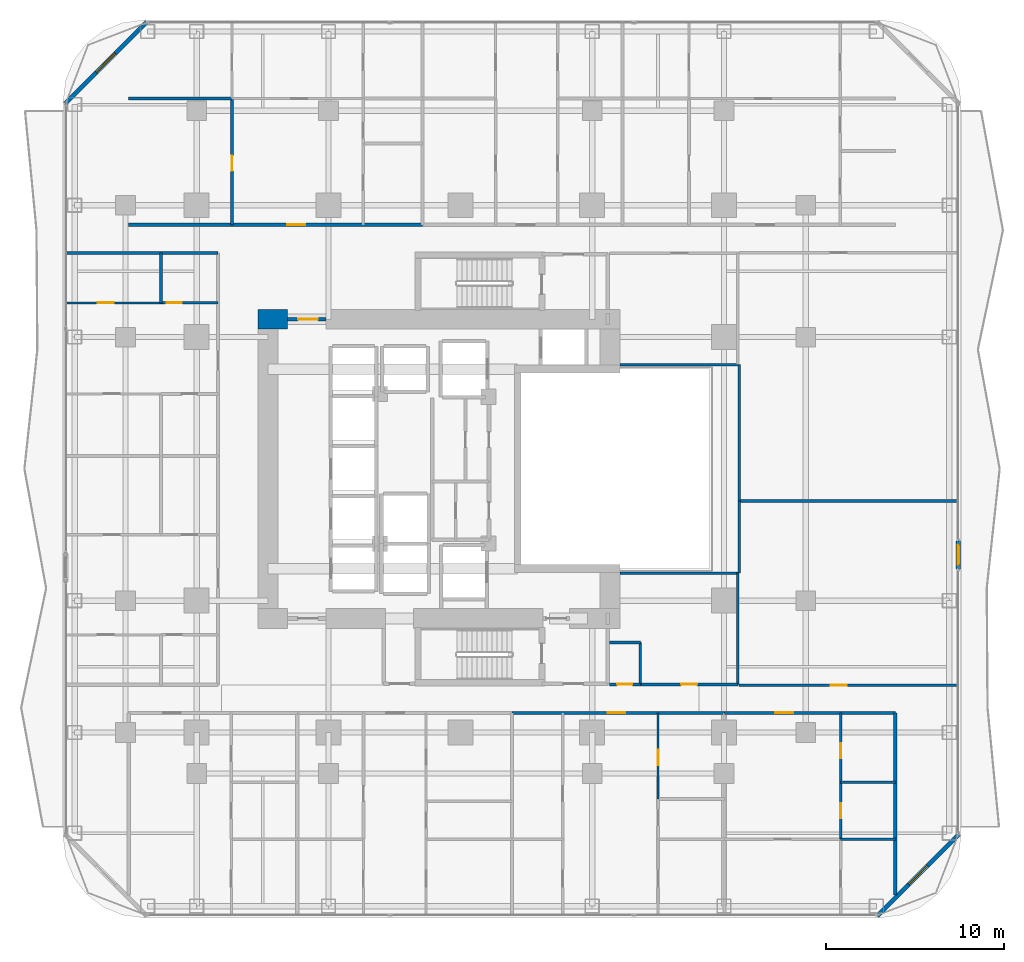
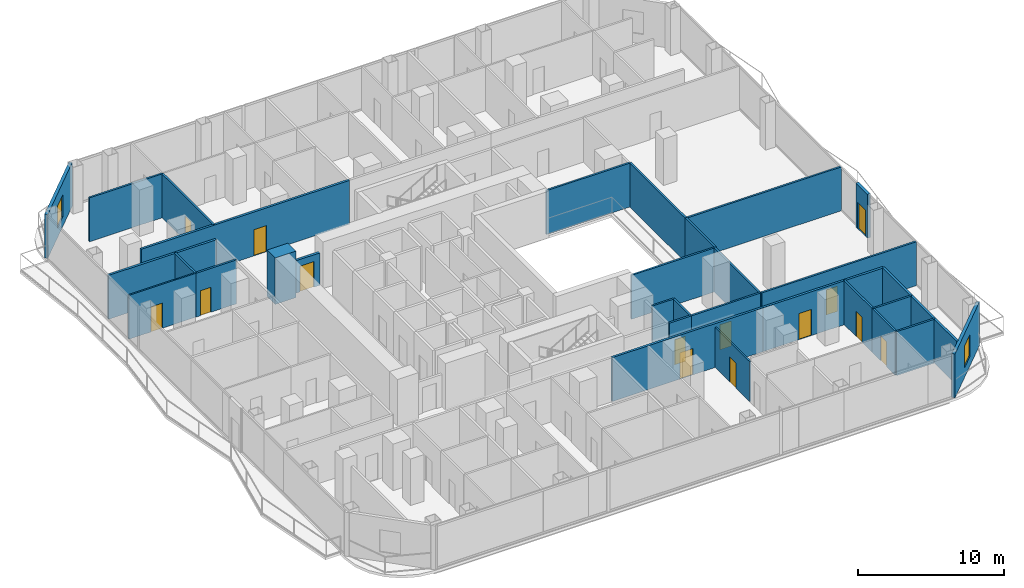
# One storey, part 23 of 28: 31 walls, 14 doors, 2 windows, 16 openings.
"""IFC4 building model written with IfcOpenShell, lengths in metres."""

from ifc_helpers import new_model, si_unit, direction, frame, frame_2d, origin, place, context, subcontext, project, spatial, rectangle, extrude, material, layer, layer_set, type_object, element, fill, save


model = new_model("IFC4")

# Units and contexts
model_context = context("Model", 3, precision=1e-05, world=origin(), true_north=direction((0.0, 1.0)))
body_context = subcontext(model_context, "Body", "Model", "MODEL_VIEW")
ifc_project = project(units=[si_unit("LENGTHUNIT", "METRE"), si_unit("AREAUNIT", "SQUARE_METRE"), si_unit("VOLUMEUNIT", "CUBIC_METRE"), si_unit("PLANEANGLEUNIT", "RADIAN"), si_unit("MASSUNIT", "GRAM", prefix="KILO")], contexts=[model_context])

# Site, building, storey
site_placement = place(None, origin())
site = spatial("IfcSite", under=ifc_project, at=site_placement, CompositionType="ELEMENT")
building_placement = place(site_placement, origin())
building = spatial("IfcBuilding", under=site, at=building_placement, Name="Khorvyn Point Tower", CompositionType="ELEMENT")
storey_placement = place(building_placement, frame((0.0, 0.0, 34.5)))
storey = spatial("IfcBuildingStorey", under=building, at=storey_placement, Name="L09", CompositionType="ELEMENT", Elevation=34.5)

# Wall, opening, door
ifc_material_1 = material(Name="Double acoustic gypsum on twin steel stud", Category="steel")
ifc_layer_1 = layer(ifc_material_1, 0.179931640625)
ifc_layer_set_1 = layer_set([ifc_layer_1], Name="Acoustic Double-Stud Apartment Demising Wall 180")
wall_type_1 = type_object("IfcWallType", Name="Acoustic Double-Stud Apartment Demising Wall 180", PredefinedType="PARTITIONING", material=ifc_layer_set_1)
wall_1_placement = place(storey_placement, frame((-18.6201171875, 13.699951171875, 0.0), z_axis=(0.0, 0.0, 1.0), x_axis=(1.0, 0.0, 0.0)))
wall_1 = element("IfcWall", 1, at=wall_1_placement, inside=storey, type_object=wall_type_1, Name="Wall", PredefinedType="PARTITIONING", context=body_context, shape_type="SweptSolid", body=[
    extrude(rectangle(XDim=16.4990234375, YDim=0.179931640625, at=frame_2d((8.24951171875, 0.0))), origin(), (0.0, 0.0, 1.0), 3.679931640625),
])
opening_1_placement = place(wall_1_placement, frame((8.91015625, 0.0, 0.0)))
opening_1 = element("IfcOpeningElement", 2, at=opening_1_placement, cuts=wall_1, Name="Opening ID-AP60", PredefinedType="OPENING", context=body_context, shape_type="SweptSolid", body=[
    extrude(rectangle(XDim=1.0, YDim=2.199951171875, at=frame_2d((0.5, 1.10009765625))), frame((0.0, 0.099853515625, 0.0), z_axis=(0.0, -1.0, 0.0), x_axis=(1.0, 0.0, 0.0)), (0.0, 0.0, 1.0), 0.199951171875),
])
ifc_material_2 = material(Name="Engineered hardwood fire-rated leaf", Category="wood")
door_type_1 = type_object("IfcDoorType", Name="Acoustic Solid-Core Timber Apartment Entrance Door 1000x2200", OperationType="NOTDEFINED", PredefinedType="DOOR", material=ifc_material_2)
door_1_placement = place(opening_1_placement, origin())
door_1 = element("IfcDoor", 3, at=door_1_placement, inside=storey, type_object=door_type_1, Name="Door", OperationType="SINGLE_SWING_RIGHT", OverallHeight=2.199951171875, OverallWidth=1.0, PredefinedType="DOOR", context=body_context, shape_type="SweptSolid", body=[
    extrude(rectangle(XDim=1.0, YDim=2.199951171875, at=frame_2d((0.5, 1.10009765625))), frame((0.0, 0.02490234375, 0.0), z_axis=(0.0, -1.0, 0.0), x_axis=(1.0, 0.0, 0.0)), (0.0, 0.0, 1.0), 0.050048828125),
])
fill(opening_1, door_1)

wall_2_placement = place(storey_placement, frame((2.89990234375, -13.699951171875, 0.0), z_axis=(0.0, 0.0, 1.0), x_axis=(1.0, 0.0, 0.0)))
wall_2 = element("IfcWall", 4, at=wall_2_placement, inside=storey, type_object=wall_type_1, Name="Wall", PredefinedType="PARTITIONING", context=body_context, shape_type="SweptSolid", body=[
    extrude(rectangle(XDim=11.922119140625, YDim=0.179931640625, at=frame_2d((5.9609375, 0.0))), origin(), (0.0, 0.0, 1.0), 3.679931640625),
])
opening_2_placement = place(wall_2_placement, frame((5.37109375, 0.0, 0.0)))
opening_2 = element("IfcOpeningElement", 5, at=opening_2_placement, cuts=wall_2, Name="Opening ID-AP60", PredefinedType="OPENING", context=body_context, shape_type="SweptSolid", body=[
    extrude(rectangle(XDim=1.0, YDim=2.199951171875, at=frame_2d((0.5, 1.10009765625))), frame((0.0, 0.099853515625, 0.0), z_axis=(0.0, -1.0, 0.0), x_axis=(1.0, 0.0, 0.0)), (0.0, 0.0, 1.0), 0.199951171875),
])
door_2_placement = place(opening_2_placement, origin())
door_2 = element("IfcDoor", 6, at=door_2_placement, inside=storey, type_object=door_type_1, Name="Door", OperationType="SINGLE_SWING_LEFT", OverallHeight=2.199951171875, OverallWidth=1.0, PredefinedType="DOOR", context=body_context, shape_type="SweptSolid", body=[
    extrude(rectangle(XDim=1.0, YDim=2.199951171875, at=frame_2d((0.5, 1.10009765625))), frame((0.0, 0.02490234375, 0.0), z_axis=(0.0, -1.0, 0.0), x_axis=(1.0, 0.0, 0.0)), (0.0, 0.0, 1.0), 0.050048828125),
])
fill(opening_2, door_2)

wall_3_placement = place(storey_placement, frame((14.822021484375, -13.699951171875, 0.0), z_axis=(0.0, 0.0, 1.0), x_axis=(1.0, 0.0, 0.0)))
wall_3 = element("IfcWall", 7, at=wall_3_placement, inside=storey, type_object=wall_type_1, Name="Wall", PredefinedType="PARTITIONING", context=body_context, shape_type="SweptSolid", body=[
    extrude(rectangle(XDim=9.597900390625, YDim=0.179931640625, at=frame_2d((4.798828125, 0.0))), origin(), (0.0, 0.0, 1.0), 3.679931640625),
])
opening_3_placement = place(wall_3_placement, frame((2.859375, 0.0, 0.0)))
opening_3 = element("IfcOpeningElement", 8, at=opening_3_placement, cuts=wall_3, Name="Opening ID-AP60", PredefinedType="OPENING", context=body_context, shape_type="SweptSolid", body=[
    extrude(rectangle(XDim=1.0, YDim=2.199951171875, at=frame_2d((0.5, 1.10009765625))), frame((0.0, 0.099853515625, 0.0), z_axis=(0.0, -1.0, 0.0), x_axis=(1.0, 0.0, 0.0)), (0.0, 0.0, 1.0), 0.199951171875),
])
door_3_placement = place(opening_3_placement, origin())
door_3 = element("IfcDoor", 9, at=door_3_placement, inside=storey, type_object=door_type_1, Name="Door", OperationType="SINGLE_SWING_LEFT", OverallHeight=2.199951171875, OverallWidth=1.0, PredefinedType="DOOR", context=body_context, shape_type="SweptSolid", body=[
    extrude(rectangle(XDim=1.0, YDim=2.199951171875, at=frame_2d((0.5, 1.10009765625))), frame((0.0, 0.02490234375, 0.0), z_axis=(0.0, -1.0, 0.0), x_axis=(1.0, 0.0, 0.0)), (0.0, 0.0, 1.0), 0.050048828125),
])
fill(opening_3, door_3)

# Walls
wall_4_placement = place(storey_placement, frame((24.419921875, -23.909912109375, 0.0), z_axis=(0.0, 0.0, 1.0), x_axis=(0.0, 1.0, 0.0)))
element("IfcWall", 10, at=wall_4_placement, inside=storey, type_object=wall_type_1, Name="Wall", PredefinedType="PARTITIONING", context=body_context, shape_type="SweptSolid", body=[
    extrude(rectangle(XDim=10.2099609375, YDim=0.179931640625, at=frame_2d((5.10498046875, 0.0))), origin(), (0.0, 0.0, 1.0), 3.679931640625),
])
wall_5_placement = place(storey_placement, frame((-22.1298828125, 12.1201171875, 0.0), z_axis=(0.0, 0.0, 1.0), x_axis=(1.0, 0.0, 0.0)))
element("IfcWall", 11, at=wall_5_placement, inside=storey, type_object=wall_type_1, Name="Wall", PredefinedType="PARTITIONING", context=body_context, shape_type="SweptSolid", body=[
    extrude(rectangle(XDim=8.52978515625, YDim=0.179931640625, at=frame_2d((4.264892578125, 0.0))), origin(), (0.0, 0.0, 1.0), 3.679931640625),
])

# Wall, opening, door
ifc_material_3 = material(Name="Pale anodised aluminium rainscreen on steel stud", Category="steel")
ifc_layer_2 = layer(ifc_material_3, 0.239990234375)
ifc_layer_set_2 = layer_set([ifc_layer_2], Name="Anodised Aluminium Insulated Corner Spandrel Wall 240")
wall_type_2 = type_object("IfcWallType", Name="Anodised Aluminium Insulated Corner Spandrel Wall 240", PredefinedType="SOLIDWALL", material=ifc_layer_set_2)
wall_6_placement = place(storey_placement, frame((27.949951171875, -4.0400390625, 0.0), z_axis=(0.0, 0.0, 1.0), x_axis=(0.0, -1.0, 0.0)))
wall_6 = element("IfcWall", 12, at=wall_6_placement, inside=storey, type_object=wall_type_2, Name="L09 East Outdoor Threshold Wall", PredefinedType="SOLIDWALL", context=body_context, shape_type="SweptSolid", body=[
    extrude(rectangle(XDim=1.580078125, YDim=0.239990234375, at=frame_2d((0.7900390625, 0.0))), origin(), (0.0, 0.0, 1.0), 3.679931640625),
])
opening_4_placement = place(wall_6_placement, frame((0.239990234375, 0.0, 0.0)))
opening_4 = element("IfcOpeningElement", 13, at=opening_4_placement, cuts=wall_6, Name="Opening BD-1122", PredefinedType="OPENING", context=body_context, shape_type="SweptSolid", body=[
    extrude(rectangle(XDim=1.10009765625, YDim=2.199951171875, at=frame_2d((0.550048828125, 1.10009765625))), frame((0.0, 0.1298828125, 0.0), z_axis=(0.0, -1.0, 0.0), x_axis=(1.0, 0.0, 0.0)), (0.0, 0.0, 1.0), 0.260009765625),
])
ifc_material_4 = material(Name="Anodised aluminium 6063-T6 and laminated Low-E glass", Category="aluminium")
door_type_2 = type_object("IfcDoorType", Name="Glazed Balcony and Terrace Threshold Door 1100x2200", OperationType="NOTDEFINED", PredefinedType="DOOR", material=ifc_material_4)
door_4_placement = place(opening_4_placement, origin())
door_4 = element("IfcDoor", 14, at=door_4_placement, inside=storey, type_object=door_type_2, Name="L09 East Glazed Balcony Outdoor Door", OperationType="SINGLE_SWING_LEFT", OverallHeight=2.199951171875, OverallWidth=1.10009765625, PredefinedType="DOOR", context=body_context, shape_type="SweptSolid", body=[
    extrude(rectangle(XDim=1.10009765625, YDim=2.199951171875, at=frame_2d((0.550048828125, 1.10009765625))), frame((0.0, 0.02490234375, 0.0), z_axis=(0.0, -1.0, 0.0), x_axis=(1.0, 0.0, 0.0)), (0.0, 0.0, 1.0), 0.050048828125),
])
fill(opening_4, door_4)

# Wall, opening, window
wall_7_placement = place(storey_placement, frame((-22.1923828125, 20.507568359375, 0.0), z_axis=(0.0, 0.0, 1.0), x_axis=(0.707106781187, 0.707106781187, 0.0)))
wall_7 = element("IfcWall", 15, at=wall_7_placement, inside=storey, type_object=wall_type_2, Name="L09 Rounded Corner Wall NW", PredefinedType="SOLIDWALL", context=body_context, shape_type="SweptSolid", body=[
    extrude(rectangle(XDim=6.48388671875, YDim=0.239990234375, at=frame_2d((3.241943359375, 0.0))), origin(), (0.0, 0.0, 1.0), 3.679931640625),
])
opening_5_placement = place(wall_7_placement, frame((2.491943359375, 0.0, 0.800048828125)))
opening_5 = element("IfcOpeningElement", 16, at=opening_5_placement, cuts=wall_7, Name="Opening WN-1518", PredefinedType="OPENING", context=body_context, shape_type="SweptSolid", body=[
    extrude(rectangle(XDim=1.5, YDim=1.85009765625, at=frame_2d((0.75, 0.925048828125))), frame((0.0, 0.1298828125, 0.0), z_axis=(0.0, -1.0, 0.0), x_axis=(1.0, 0.0, 0.0)), (0.0, 0.0, 1.0), 0.260009765625),
])
window_type = type_object("IfcWindowType", Name="Anodised Aluminium Rounded-Corner Panoramic Window 1500x1850", PartitioningType="SINGLE_PANEL", PredefinedType="WINDOW", material=ifc_material_4)
window_1_placement = place(opening_5_placement, origin())
window_1 = element("IfcWindow", 17, at=window_1_placement, inside=storey, type_object=window_type, Name="L09 Corner Panoramic Window NW", OverallHeight=1.85009765625, OverallWidth=1.5, PartitioningType="SINGLE_PANEL", PredefinedType="WINDOW", context=body_context, shape_type="SweptSolid", body=[
    extrude(rectangle(XDim=1.5, YDim=1.85009765625, at=frame_2d((0.75, 0.925048828125))), frame((0.0, 0.030029296875, 0.0), z_axis=(0.0, -1.0, 0.0), x_axis=(1.0, 0.0, 0.0)), (0.0, 0.0, 1.0), 0.06005859375),
])
fill(opening_5, window_1)

wall_8_placement = place(storey_placement, frame((27.992431640625, -20.507568359375, 0.0), z_axis=(0.0, 0.0, 1.0), x_axis=(-0.707106781187, -0.707106781187, 0.0)))
wall_8 = element("IfcWall", 18, at=wall_8_placement, inside=storey, type_object=wall_type_2, Name="L09 Rounded Corner Wall SE", PredefinedType="SOLIDWALL", context=body_context, shape_type="SweptSolid", body=[
    extrude(rectangle(XDim=6.48388671875, YDim=0.239990234375, at=frame_2d((3.241943359375, 0.0))), origin(), (0.0, 0.0, 1.0), 3.679931640625),
])
opening_6_placement = place(wall_8_placement, frame((2.491943359375, 0.0, 0.800048828125)))
opening_6 = element("IfcOpeningElement", 19, at=opening_6_placement, cuts=wall_8, Name="Opening WN-1518", PredefinedType="OPENING", context=body_context, shape_type="SweptSolid", body=[
    extrude(rectangle(XDim=1.5, YDim=1.85009765625, at=frame_2d((0.75, 0.925048828125))), frame((0.0, 0.1298828125, 0.0), z_axis=(0.0, -1.0, 0.0), x_axis=(1.0, 0.0, 0.0)), (0.0, 0.0, 1.0), 0.260009765625),
])
window_2_placement = place(opening_6_placement, origin())
window_2 = element("IfcWindow", 20, at=window_2_placement, inside=storey, type_object=window_type, Name="L09 Corner Panoramic Window SE", OverallHeight=1.85009765625, OverallWidth=1.5, PartitioningType="SINGLE_PANEL", PredefinedType="WINDOW", context=body_context, shape_type="SweptSolid", body=[
    extrude(rectangle(XDim=1.5, YDim=1.85009765625, at=frame_2d((0.75, 0.925048828125))), frame((0.0, 0.030029296875, 0.0), z_axis=(0.0, -1.0, 0.0), x_axis=(1.0, 0.0, 0.0)), (0.0, 0.0, 1.0), 0.06005859375),
])
fill(opening_6, window_2)

# Wall, opening, door
ifc_material_5 = material(Name="Concrete C40/50", Category="concrete")
ifc_layer_3 = layer(ifc_material_5, 0.199951171875)
ifc_layer_set_3 = layer_set([ifc_layer_3], Name="Concrete C40/50 Fire-Lobby Compartment Wall 200")
wall_type_3 = type_object("IfcWallType", Name="Concrete C40/50 Fire-Lobby Compartment Wall 200", PredefinedType="SOLIDWALL", material=ifc_layer_set_3)
wall_9_placement = place(storey_placement, frame((-9.699951171875, 8.39990234375, 0.0), z_axis=(0.0, 0.0, 1.0), x_axis=(1.0, 0.0, 0.0)))
wall_9 = element("IfcWall", 21, at=wall_9_placement, inside=storey, type_object=wall_type_3, Name="Wall", PredefinedType="SOLIDWALL", context=body_context, shape_type="SweptSolid", body=[
    extrude(rectangle(XDim=2.14990234375, YDim=0.199951171875, at=frame_2d((1.074951171875, 0.0))), origin(), (0.0, 0.0, 1.0), 2.719970703125),
])
opening_7_placement = place(wall_9_placement, frame((0.597900390625, 0.0, 0.0)))
opening_7 = element("IfcOpeningElement", 22, at=opening_7_placement, cuts=wall_9, Name="Opening ID-FL90", PredefinedType="OPENING", context=body_context, shape_type="SweptSolid", body=[
    extrude(rectangle(XDim=1.10009765625, YDim=2.14990234375, at=frame_2d((0.550048828125, 1.074951171875))), frame((0.0, 0.10986328125, 0.0), z_axis=(0.0, -1.0, 0.0), x_axis=(1.0, 0.0, 0.0)), (0.0, 0.0, 1.0), 0.219970703125),
])
ifc_material_6 = material(Name="Galvanised powder-coated steel", Category="steel")
door_type_3 = type_object("IfcDoorType", Name="Fire-Rated Steel Lobby and Stair Door 1100x2150", OperationType="NOTDEFINED", PredefinedType="DOOR", material=ifc_material_6)
door_5_placement = place(opening_7_placement, origin())
door_5 = element("IfcDoor", 23, at=door_5_placement, inside=storey, type_object=door_type_3, Name="Door", OperationType="SINGLE_SWING_LEFT", OverallHeight=2.14990234375, OverallWidth=1.10009765625, PredefinedType="DOOR", context=body_context, shape_type="SweptSolid", body=[
    extrude(rectangle(XDim=1.10009765625, YDim=2.14990234375, at=frame_2d((0.550048828125, 1.074951171875))), frame((0.0, 0.02490234375, 0.0), z_axis=(0.0, -1.0, 0.0), x_axis=(1.0, 0.0, 0.0)), (0.0, 0.0, 1.0), 0.050048828125),
])
fill(opening_7, door_5)

# Wall
ifc_material_7 = material(Name="Concrete C50/60", Category="concrete")
ifc_layer_4 = layer(ifc_material_7, 1.10009765625)
ifc_layer_set_4 = layer_set([ifc_layer_4], Name="Concrete C50/60 Core Shear Wall 1100")
wall_type_4 = type_object("IfcWallType", Name="Concrete C50/60 Core Shear Wall 1100", PredefinedType="SHEAR", material=ifc_layer_set_4)
wall_10_placement = place(storey_placement, frame((-11.35009765625, 8.39990234375, 0.0), z_axis=(0.0, 0.0, 1.0), x_axis=(1.0, 0.0, 0.0)))
element("IfcWall", 24, at=wall_10_placement, inside=storey, type_object=wall_type_4, Name="Wall", PredefinedType="SHEAR", context=body_context, shape_type="SweptSolid", body=[
    extrude(rectangle(XDim=1.650146484375, YDim=1.10009765625, at=frame_2d((0.8251953125, 0.0))), origin(), (0.0, 0.0, 1.0), 3.89990234375),
])

# Wall, opening, door
ifc_material_8 = material(Name="Gypsum plasterboard on steel stud", Category="steel")
ifc_layer_5 = layer(ifc_material_8, 0.1201171875)
ifc_layer_set_5 = layer_set([ifc_layer_5], Name="Gypsum Acoustic Stud Room Partition Wall 120")
wall_type_5 = type_object("IfcWallType", Name="Gypsum Acoustic Stud Room Partition Wall 120", PredefinedType="PARTITIONING", material=ifc_layer_set_5)
wall_11_placement = place(storey_placement, frame((11.10205078125, -18.534912109375, 0.0), z_axis=(0.0, 0.0, 1.0), x_axis=(0.0, 1.0, 0.0)))
wall_11 = element("IfcWall", 25, at=wall_11_placement, inside=storey, type_object=wall_type_5, Name="Wall", PredefinedType="PARTITIONING", context=body_context, shape_type="SweptSolid", body=[
    extrude(rectangle(XDim=4.8349609375, YDim=0.1201171875, at=frame_2d((2.41748046875, 0.0))), origin(), (0.0, 0.0, 1.0), 3.3701171875),
])
opening_8_placement = place(wall_11_placement, frame((1.9052734375, 0.0, 0.0)))
opening_8 = element("IfcOpeningElement", 26, at=opening_8_placement, cuts=wall_11, Name="Opening ID-WC85", PredefinedType="OPENING", context=body_context, shape_type="SweptSolid", body=[
    extrude(rectangle(XDim=0.85009765625, YDim=2.10009765625, at=frame_2d((0.425048828125, 1.050048828125))), frame((0.0, 0.070068359375, 0.0), z_axis=(0.0, -1.0, 0.0), x_axis=(1.0, 0.0, 0.0)), (0.0, 0.0, 1.0), 0.14013671875),
])
ifc_material_9 = material(Name="High-pressure laminate on moisture-resistant core", Category="wood")
door_type_4 = type_object("IfcDoorType", Name="Moisture-Resistant Accessible Washroom Door 850x2100", OperationType="NOTDEFINED", PredefinedType="DOOR", material=ifc_material_9)
door_6_placement = place(opening_8_placement, origin())
door_6 = element("IfcDoor", 27, at=door_6_placement, inside=storey, type_object=door_type_4, Name="Door", OperationType="SINGLE_SWING_LEFT", OverallHeight=2.10009765625, OverallWidth=0.85009765625, PredefinedType="DOOR", context=body_context, shape_type="SweptSolid", body=[
    extrude(rectangle(XDim=0.85009765625, YDim=2.10009765625, at=frame_2d((0.425048828125, 1.050048828125))), frame((0.0, 0.02490234375, 0.0), z_axis=(0.0, -1.0, 0.0), x_axis=(1.0, 0.0, 0.0)), (0.0, 0.0, 1.0), 0.050048828125),
])
fill(opening_8, door_6)

wall_12_placement = place(storey_placement, frame((-22.1298828125, 9.320068359375, 0.0), z_axis=(0.0, 0.0, 1.0), x_axis=(1.0, 0.0, 0.0)))
wall_12 = element("IfcWall", 28, at=wall_12_placement, inside=storey, type_object=wall_type_5, Name="Wall", PredefinedType="PARTITIONING", context=body_context, shape_type="SweptSolid", body=[
    extrude(rectangle(XDim=5.32177734375, YDim=0.1201171875, at=frame_2d((2.660888671875, 0.0))), origin(), (0.0, 0.0, 1.0), 3.679931640625),
])
opening_9_placement = place(wall_12_placement, frame((1.76513671875, 0.0, 0.0)))
opening_9 = element("IfcOpeningElement", 29, at=opening_9_placement, cuts=wall_12, Name="Opening ID-RM90", PredefinedType="OPENING", context=body_context, shape_type="SweptSolid", body=[
    extrude(rectangle(XDim=0.89990234375, YDim=2.10009765625, at=frame_2d((0.449951171875, 1.050048828125))), frame((0.0, 0.070068359375, 0.0), z_axis=(0.0, -1.0, 0.0), x_axis=(1.0, 0.0, 0.0)), (0.0, 0.0, 1.0), 0.14013671875),
])
ifc_material_10 = material(Name="Engineered oak veneer timber", Category="wood")
door_type_5 = type_object("IfcDoorType", Name="Flush Engineered Timber Room Door 900x2100", OperationType="NOTDEFINED", PredefinedType="DOOR", material=ifc_material_10)
door_7_placement = place(opening_9_placement, origin())
door_7 = element("IfcDoor", 30, at=door_7_placement, inside=storey, type_object=door_type_5, Name="Door", OperationType="SINGLE_SWING_LEFT", OverallHeight=2.10009765625, OverallWidth=0.89990234375, PredefinedType="DOOR", context=body_context, shape_type="SweptSolid", body=[
    extrude(rectangle(XDim=0.89990234375, YDim=2.10009765625, at=frame_2d((0.449951171875, 1.050048828125))), frame((0.0, 0.02490234375, 0.0), z_axis=(0.0, -1.0, 0.0), x_axis=(1.0, 0.0, 0.0)), (0.0, 0.0, 1.0), 0.050048828125),
])
fill(opening_9, door_7)

ifc_material_11 = material(Name="Moisture-resistant gypsum and cement board", Category="gypsum")
ifc_layer_6 = layer(ifc_material_11, 0.14990234375)
ifc_layer_set_6 = layer_set([ifc_layer_6], Name="Moisture-Resistant Wet-Room Partition Wall 150")
wall_type_6 = type_object("IfcWallType", Name="Moisture-Resistant Wet-Room Partition Wall 150", PredefinedType="PARTITIONING", material=ifc_layer_set_6)
wall_13_placement = place(storey_placement, frame((8.360107421875, -12.10009765625, 0.0), z_axis=(0.0, 0.0, 1.0), x_axis=(1.0, 0.0, 0.0)))
wall_13 = element("IfcWall", 31, at=wall_13_placement, inside=storey, type_object=wall_type_6, Name="Wall", PredefinedType="PARTITIONING", context=body_context, shape_type="SweptSolid", body=[
    extrude(rectangle(XDim=1.739990234375, YDim=0.14990234375, at=frame_2d((0.8701171875, 0.0))), origin(), (0.0, 0.0, 1.0), 3.679931640625),
])
opening_10_placement = place(wall_13_placement, frame((0.445068359375, 0.0, 0.0)))
opening_10 = element("IfcOpeningElement", 32, at=opening_10_placement, cuts=wall_13, Name="Opening ID-WC85", PredefinedType="OPENING", context=body_context, shape_type="SweptSolid", body=[
    extrude(rectangle(XDim=0.85009765625, YDim=2.10009765625, at=frame_2d((0.425048828125, 1.050048828125))), frame((0.0, 0.0849609375, 0.0), z_axis=(0.0, -1.0, 0.0), x_axis=(1.0, 0.0, 0.0)), (0.0, 0.0, 1.0), 0.169921875),
])
door_8_placement = place(opening_10_placement, origin())
door_8 = element("IfcDoor", 33, at=door_8_placement, inside=storey, type_object=door_type_4, Name="Door", OperationType="SINGLE_SWING_LEFT", OverallHeight=2.10009765625, OverallWidth=0.85009765625, PredefinedType="DOOR", context=body_context, shape_type="SweptSolid", body=[
    extrude(rectangle(XDim=0.85009765625, YDim=2.10009765625, at=frame_2d((0.425048828125, 1.050048828125))), frame((0.0, 0.02490234375, 0.0), z_axis=(0.0, -1.0, 0.0), x_axis=(1.0, 0.0, 0.0)), (0.0, 0.0, 1.0), 0.050048828125),
])
fill(opening_10, door_8)

wall_14_placement = place(storey_placement, frame((10.10009765625, -12.10009765625, 0.0), z_axis=(0.0, 0.0, 1.0), x_axis=(1.0, 0.0, 0.0)))
wall_14 = element("IfcWall", 34, at=wall_14_placement, inside=storey, type_object=wall_type_6, Name="Wall", PredefinedType="PARTITIONING", context=body_context, shape_type="SweptSolid", body=[
    extrude(rectangle(XDim=5.47998046875, YDim=0.14990234375, at=frame_2d((2.739990234375, 0.0))), origin(), (0.0, 0.0, 1.0), 3.679931640625),
])
opening_11_placement = place(wall_14_placement, frame((2.2900390625, 0.0, 0.0)))
opening_11 = element("IfcOpeningElement", 35, at=opening_11_placement, cuts=wall_14, Name="Opening ID-RM90", PredefinedType="OPENING", context=body_context, shape_type="SweptSolid", body=[
    extrude(rectangle(XDim=0.89990234375, YDim=2.10009765625, at=frame_2d((0.449951171875, 1.050048828125))), frame((0.0, 0.0849609375, 0.0), z_axis=(0.0, -1.0, 0.0), x_axis=(1.0, 0.0, 0.0)), (0.0, 0.0, 1.0), 0.169921875),
])
door_9_placement = place(opening_11_placement, origin())
door_9 = element("IfcDoor", 36, at=door_9_placement, inside=storey, type_object=door_type_5, Name="Door", OperationType="SINGLE_SWING_RIGHT", OverallHeight=2.10009765625, OverallWidth=0.89990234375, PredefinedType="DOOR", context=body_context, shape_type="SweptSolid", body=[
    extrude(rectangle(XDim=0.89990234375, YDim=2.10009765625, at=frame_2d((0.449951171875, 1.050048828125))), frame((0.0, 0.02490234375, 0.0), z_axis=(0.0, -1.0, 0.0), x_axis=(1.0, 0.0, 0.0)), (0.0, 0.0, 1.0), 0.050048828125),
])
fill(opening_11, door_9)

wall_15_placement = place(storey_placement, frame((-12.818115234375, 13.699951171875, 0.0), z_axis=(0.0, 0.0, 1.0), x_axis=(0.0, 1.0, 0.0)))
wall_15 = element("IfcWall", 37, at=wall_15_placement, inside=storey, type_object=wall_type_6, Name="Wall", PredefinedType="PARTITIONING", context=body_context, shape_type="SweptSolid", body=[
    extrude(rectangle(XDim=7.090087890625, YDim=0.14990234375, at=frame_2d((3.544921875, 0.0))), origin(), (0.0, 0.0, 1.0), 3.679931640625),
])
opening_12_placement = place(wall_15_placement, frame((3.0302734375, 0.0, 0.0)))
opening_12 = element("IfcOpeningElement", 38, at=opening_12_placement, cuts=wall_15, Name="Opening ID-WC85", PredefinedType="OPENING", context=body_context, shape_type="SweptSolid", body=[
    extrude(rectangle(XDim=0.85009765625, YDim=2.10009765625, at=frame_2d((0.425048828125, 1.050048828125))), frame((0.0, 0.0849609375, 0.0), z_axis=(0.0, -1.0, 0.0), x_axis=(1.0, 0.0, 0.0)), (0.0, 0.0, 1.0), 0.169921875),
])
door_10_placement = place(opening_12_placement, origin())
door_10 = element("IfcDoor", 39, at=door_10_placement, inside=storey, type_object=door_type_4, Name="Door", OperationType="SINGLE_SWING_RIGHT", OverallHeight=2.10009765625, OverallWidth=0.85009765625, PredefinedType="DOOR", context=body_context, shape_type="SweptSolid", body=[
    extrude(rectangle(XDim=0.85009765625, YDim=2.10009765625, at=frame_2d((0.425048828125, 1.050048828125))), frame((0.0, 0.02490234375, 0.0), z_axis=(0.0, -1.0, 0.0), x_axis=(1.0, 0.0, 0.0)), (0.0, 0.0, 1.0), 0.050048828125),
])
fill(opening_12, door_10)

wall_16_placement = place(storey_placement, frame((21.35498046875, -17.59912109375, 0.0), z_axis=(0.0, 0.0, 1.0), x_axis=(0.0, 1.0, 0.0)))
wall_16 = element("IfcWall", 40, at=wall_16_placement, inside=storey, type_object=wall_type_6, Name="Wall", PredefinedType="PARTITIONING", context=body_context, shape_type="SweptSolid", body=[
    extrude(rectangle(XDim=3.899169921875, YDim=0.14990234375, at=frame_2d((1.94970703125, 0.0))), origin(), (0.0, 0.0, 1.0), 3.679931640625),
])
opening_13_placement = place(wall_16_placement, frame((1.35400390625, 0.0, 0.0)))
opening_13 = element("IfcOpeningElement", 41, at=opening_13_placement, cuts=wall_16, Name="Opening ID-WC85", PredefinedType="OPENING", context=body_context, shape_type="SweptSolid", body=[
    extrude(rectangle(XDim=0.85009765625, YDim=2.10009765625, at=frame_2d((0.425048828125, 1.050048828125))), frame((0.0, 0.0849609375, 0.0), z_axis=(0.0, -1.0, 0.0), x_axis=(1.0, 0.0, 0.0)), (0.0, 0.0, 1.0), 0.169921875),
])
door_11_placement = place(opening_13_placement, origin())
door_11 = element("IfcDoor", 42, at=door_11_placement, inside=storey, type_object=door_type_4, Name="Door", OperationType="SINGLE_SWING_LEFT", OverallHeight=2.10009765625, OverallWidth=0.85009765625, PredefinedType="DOOR", context=body_context, shape_type="SweptSolid", body=[
    extrude(rectangle(XDim=0.85009765625, YDim=2.10009765625, at=frame_2d((0.425048828125, 1.050048828125))), frame((0.0, 0.02490234375, 0.0), z_axis=(0.0, -1.0, 0.0), x_axis=(1.0, 0.0, 0.0)), (0.0, 0.0, 1.0), 0.050048828125),
])
fill(opening_13, door_11)

wall_17_placement = place(storey_placement, frame((21.35498046875, -20.7900390625, 0.0), z_axis=(0.0, 0.0, 1.0), x_axis=(0.0, 1.0, 0.0)))
wall_17 = element("IfcWall", 43, at=wall_17_placement, inside=storey, type_object=wall_type_6, Name="Wall", PredefinedType="PARTITIONING", context=body_context, shape_type="SweptSolid", body=[
    extrude(rectangle(XDim=3.19091796875, YDim=0.14990234375, at=frame_2d((1.595458984375, 0.0))), origin(), (0.0, 0.0, 1.0), 3.679931640625),
])
opening_14_placement = place(wall_17_placement, frame((1.17041015625, 0.0, 0.0)))
opening_14 = element("IfcOpeningElement", 44, at=opening_14_placement, cuts=wall_17, Name="Opening ID-WC85", PredefinedType="OPENING", context=body_context, shape_type="SweptSolid", body=[
    extrude(rectangle(XDim=0.85009765625, YDim=2.10009765625, at=frame_2d((0.425048828125, 1.050048828125))), frame((0.0, 0.0849609375, 0.0), z_axis=(0.0, -1.0, 0.0), x_axis=(1.0, 0.0, 0.0)), (0.0, 0.0, 1.0), 0.169921875),
])
door_12_placement = place(opening_14_placement, origin())
door_12 = element("IfcDoor", 45, at=door_12_placement, inside=storey, type_object=door_type_4, Name="Door", OperationType="SINGLE_SWING_RIGHT", OverallHeight=2.10009765625, OverallWidth=0.85009765625, PredefinedType="DOOR", context=body_context, shape_type="SweptSolid", body=[
    extrude(rectangle(XDim=0.85009765625, YDim=2.10009765625, at=frame_2d((0.425048828125, 1.050048828125))), frame((0.0, 0.02490234375, 0.0), z_axis=(0.0, -1.0, 0.0), x_axis=(1.0, 0.0, 0.0)), (0.0, 0.0, 1.0), 0.050048828125),
])
fill(opening_14, door_12)

wall_18_placement = place(storey_placement, frame((-16.80810546875, 9.320068359375, 0.0), z_axis=(0.0, 0.0, 1.0), x_axis=(1.0, 0.0, 0.0)))
wall_18 = element("IfcWall", 46, at=wall_18_placement, inside=storey, type_object=wall_type_6, Name="Wall", PredefinedType="PARTITIONING", context=body_context, shape_type="SweptSolid", body=[
    extrude(rectangle(XDim=3.2080078125, YDim=0.14990234375, at=frame_2d((1.60400390625, 0.0))), origin(), (0.0, 0.0, 1.0), 3.679931640625),
])
opening_15_placement = place(wall_18_placement, frame((0.329833984375, 0.0, 0.0)))
opening_15 = element("IfcOpeningElement", 47, at=opening_15_placement, cuts=wall_18, Name="Opening ID-WC85", PredefinedType="OPENING", context=body_context, shape_type="SweptSolid", body=[
    extrude(rectangle(XDim=0.85009765625, YDim=2.10009765625, at=frame_2d((0.425048828125, 1.050048828125))), frame((0.0, 0.0849609375, 0.0), z_axis=(0.0, -1.0, 0.0), x_axis=(1.0, 0.0, 0.0)), (0.0, 0.0, 1.0), 0.169921875),
])
door_13_placement = place(opening_15_placement, origin())
door_13 = element("IfcDoor", 48, at=door_13_placement, inside=storey, type_object=door_type_4, Name="Door", OperationType="SINGLE_SWING_RIGHT", OverallHeight=2.10009765625, OverallWidth=0.85009765625, PredefinedType="DOOR", context=body_context, shape_type="SweptSolid", body=[
    extrude(rectangle(XDim=0.85009765625, YDim=2.10009765625, at=frame_2d((0.425048828125, 1.050048828125))), frame((0.0, 0.02490234375, 0.0), z_axis=(0.0, -1.0, 0.0), x_axis=(1.0, 0.0, 0.0)), (0.0, 0.0, 1.0), 0.050048828125),
])
fill(opening_15, door_13)

wall_19_placement = place(storey_placement, frame((15.64990234375, -12.139892578125, 0.0), z_axis=(0.0, 0.0, 1.0), x_axis=(1.0, 0.0, 0.0)))
wall_19 = element("IfcWall", 49, at=wall_19_placement, inside=storey, type_object=wall_type_6, Name="Wall", PredefinedType="PARTITIONING", context=body_context, shape_type="SweptSolid", body=[
    extrude(rectangle(XDim=12.27001953125, YDim=0.14990234375, at=frame_2d((6.135009765625, 0.0))), origin(), (0.0, 0.0, 1.0), 3.679931640625),
])
opening_16_placement = place(wall_19_placement, frame((5.150390625, 0.0, 0.0)))
opening_16 = element("IfcOpeningElement", 50, at=opening_16_placement, cuts=wall_19, Name="Opening ID-RM90", PredefinedType="OPENING", context=body_context, shape_type="SweptSolid", body=[
    extrude(rectangle(XDim=0.89990234375, YDim=2.10009765625, at=frame_2d((0.449951171875, 1.050048828125))), frame((0.0, 0.0849609375, 0.0), z_axis=(0.0, -1.0, 0.0), x_axis=(1.0, 0.0, 0.0)), (0.0, 0.0, 1.0), 0.169921875),
])
door_14_placement = place(opening_16_placement, origin())
door_14 = element("IfcDoor", 51, at=door_14_placement, inside=storey, type_object=door_type_5, Name="Door", OperationType="SINGLE_SWING_RIGHT", OverallHeight=2.10009765625, OverallWidth=0.89990234375, PredefinedType="DOOR", context=body_context, shape_type="SweptSolid", body=[
    extrude(rectangle(XDim=0.89990234375, YDim=2.10009765625, at=frame_2d((0.449951171875, 1.050048828125))), frame((0.0, 0.02490234375, 0.0), z_axis=(0.0, -1.0, 0.0), x_axis=(1.0, 0.0, 0.0)), (0.0, 0.0, 1.0), 0.050048828125),
])
fill(opening_16, door_14)

# Walls
wall_20_placement = place(storey_placement, frame((8.360107421875, -9.75, 0.0), z_axis=(0.0, 0.0, 1.0), x_axis=(1.0, 0.0, 0.0)))
element("IfcWall", 52, at=wall_20_placement, inside=storey, type_object=wall_type_6, Name="Wall", PredefinedType="PARTITIONING", context=body_context, shape_type="SweptSolid", body=[
    extrude(rectangle(XDim=1.739990234375, YDim=0.14990234375, at=frame_2d((0.8701171875, 0.0))), origin(), (0.0, 0.0, 1.0), 3.679931640625),
])
wall_21_placement = place(storey_placement, frame((10.10009765625, -12.10009765625, 0.0), z_axis=(0.0, 0.0, 1.0), x_axis=(0.0, 1.0, 0.0)))
element("IfcWall", 53, at=wall_21_placement, inside=storey, type_object=wall_type_6, Name="Wall", PredefinedType="PARTITIONING", context=body_context, shape_type="SweptSolid", body=[
    extrude(rectangle(XDim=2.35009765625, YDim=0.14990234375, at=frame_2d((1.175048828125, 0.0))), origin(), (0.0, 0.0, 1.0), 3.679931640625),
])
wall_22_placement = place(storey_placement, frame((15.580078125, -12.10009765625, 0.0), z_axis=(0.0, 0.0, 1.0), x_axis=(0.0, 1.0, 0.0)))
element("IfcWall", 54, at=wall_22_placement, inside=storey, type_object=wall_type_6, Name="Wall", PredefinedType="PARTITIONING", context=body_context, shape_type="SweptSolid", body=[
    extrude(rectangle(XDim=6.25, YDim=0.14990234375, at=frame_2d((3.125, 0.0))), origin(), (0.0, 0.0, 1.0), 3.679931640625),
])
for number, where, z_axis, x_axis, name in (
    (55, (8.9599609375, -5.85009765625, 0.0), (0.0, 0.0, 1.0), (1.0, 0.0, 0.0), "Wall"),
    (56, (8.9599609375, 5.85009765625, 0.0), (0.0, 0.0, 1.0), (1.0, 0.0, 0.0), "Wall"),
):
    element("IfcWall", number, at=place(storey_placement, frame(where, z_axis=z_axis, x_axis=x_axis)), inside=storey, type_object=wall_type_6, Name=name, PredefinedType="PARTITIONING", context=body_context, shape_type="SweptSolid", body=[
        extrude(rectangle(XDim=6.6201171875, YDim=0.14990234375, at=frame_2d((3.31005859375, 0.0))), origin(), (0.0, 0.0, 1.0), 3.679931640625),
    ])
wall_23_placement = place(storey_placement, frame((-18.6201171875, 20.7900390625, 0.0), z_axis=(0.0, 0.0, 1.0), x_axis=(1.0, 0.0, 0.0)))
element("IfcWall", 57, at=wall_23_placement, inside=storey, type_object=wall_type_6, Name="Wall", PredefinedType="PARTITIONING", context=body_context, shape_type="SweptSolid", body=[
    extrude(rectangle(XDim=5.802001953125, YDim=0.14990234375, at=frame_2d((2.90087890625, 0.0))), origin(), (0.0, 0.0, 1.0), 3.679931640625),
])
for number, where, z_axis, x_axis, name in (
    (58, (21.35498046875, -17.59912109375, 0.0), (0.0, 0.0, 1.0), (1.0, 0.0, 0.0), "Wall"),
    (59, (21.35498046875, -20.7900390625, 0.0), (0.0, 0.0, 1.0), (1.0, 0.0, 0.0), "Wall"),
):
    element("IfcWall", number, at=place(storey_placement, frame(where, z_axis=z_axis, x_axis=x_axis)), inside=storey, type_object=wall_type_6, Name=name, PredefinedType="PARTITIONING", context=body_context, shape_type="SweptSolid", body=[
        extrude(rectangle(XDim=3.06494140625, YDim=0.14990234375, at=frame_2d((1.532470703125, 0.0))), origin(), (0.0, 0.0, 1.0), 3.679931640625),
    ])
wall_24_placement = place(storey_placement, frame((-16.80810546875, 9.320068359375, 0.0), z_axis=(0.0, 0.0, 1.0), x_axis=(0.0, 1.0, 0.0)))
element("IfcWall", 60, at=wall_24_placement, inside=storey, type_object=wall_type_6, Name="Wall", PredefinedType="PARTITIONING", context=body_context, shape_type="SweptSolid", body=[
    extrude(rectangle(XDim=2.800048828125, YDim=0.14990234375, at=frame_2d((1.39990234375, 0.0))), origin(), (0.0, 0.0, 1.0), 3.679931640625),
])
wall_25_placement = place(storey_placement, frame((15.64990234375, -5.85009765625, 0.0), z_axis=(0.0, 0.0, 1.0), x_axis=(0.0, 1.0, 0.0)))
element("IfcWall", 61, at=wall_25_placement, inside=storey, type_object=wall_type_6, Name="Wall", PredefinedType="PARTITIONING", context=body_context, shape_type="SweptSolid", body=[
    extrude(rectangle(XDim=4.050048828125, YDim=0.14990234375, at=frame_2d((2.02490234375, 0.0))), origin(), (0.0, 0.0, 1.0), 3.679931640625),
])
wall_26_placement = place(storey_placement, frame((15.64990234375, -1.800048828125, 0.0), z_axis=(0.0, 0.0, 1.0), x_axis=(0.0, 1.0, 0.0)))
element("IfcWall", 62, at=wall_26_placement, inside=storey, type_object=wall_type_6, Name="Wall", PredefinedType="PARTITIONING", context=body_context, shape_type="SweptSolid", body=[
    extrude(rectangle(XDim=7.650146484375, YDim=0.14990234375, at=frame_2d((3.8251953125, 0.0))), origin(), (0.0, 0.0, 1.0), 3.679931640625),
])
wall_27_placement = place(storey_placement, frame((15.64990234375, -1.800048828125, 0.0), z_axis=(0.0, 0.0, 1.0), x_axis=(1.0, 0.0, 0.0)))
element("IfcWall", 63, at=wall_27_placement, inside=storey, type_object=wall_type_6, Name="Wall", PredefinedType="PARTITIONING", context=body_context, shape_type="SweptSolid", body=[
    extrude(rectangle(XDim=12.280029296875, YDim=0.14990234375, at=frame_2d((6.14013671875, 0.0))), origin(), (0.0, 0.0, 1.0), 3.679931640625),
])

save(model, "model.ifc")
